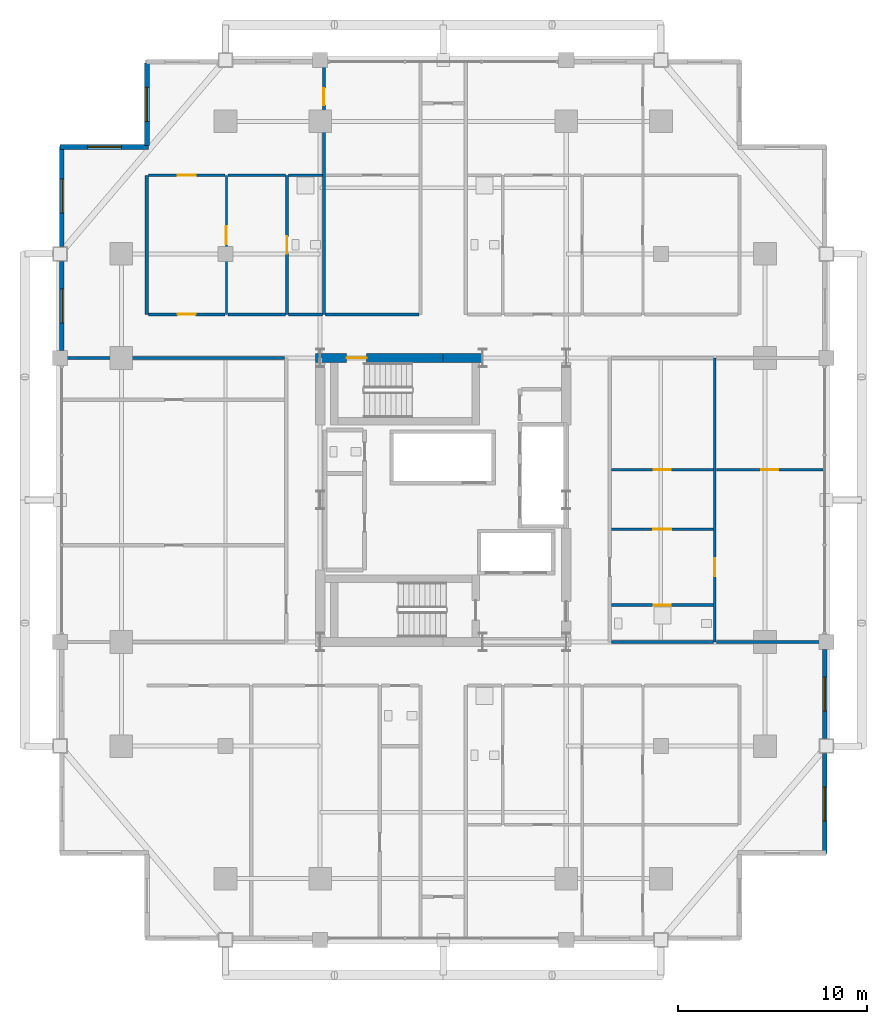
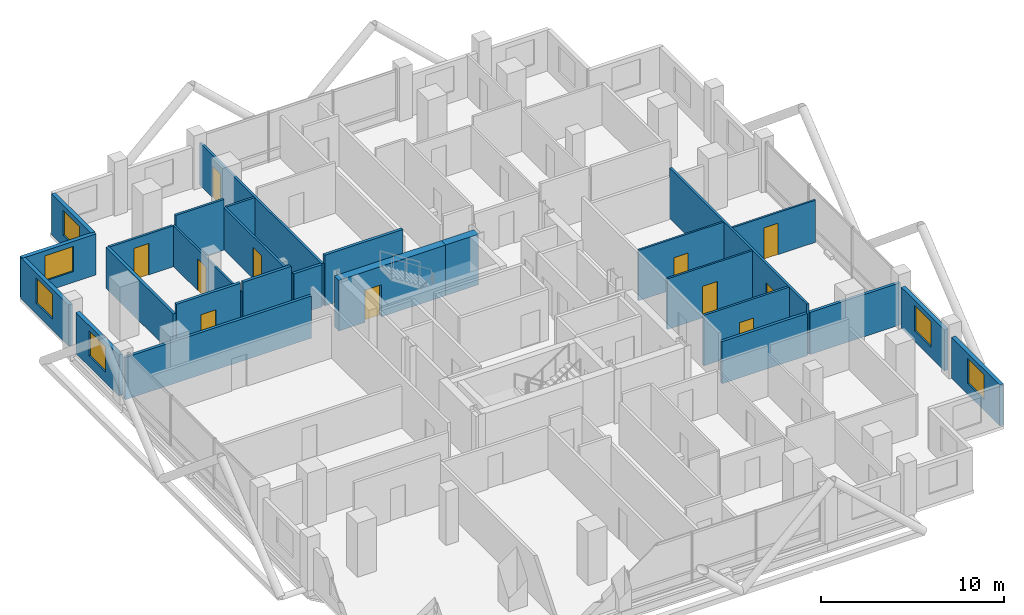
# One storey, part 21 of 25: 27 walls, 11 doors, 6 windows, 17 openings.
"""IFC4 building model written with IfcOpenShell, lengths in metres."""

from ifc_helpers import new_model, si_unit, direction, frame, frame_2d, origin, place, context, subcontext, project, spatial, rectangle, extrude, material, layer, layer_set, type_object, element, fill, save


model = new_model("IFC4")

# Units and contexts
model_context = context("Model", 3, precision=1e-05, world=origin(), true_north=direction((0.0, 1.0)))
body_context = subcontext(model_context, "Body", "Model", "MODEL_VIEW")
ifc_project = project(units=[si_unit("LENGTHUNIT", "METRE"), si_unit("AREAUNIT", "SQUARE_METRE"), si_unit("VOLUMEUNIT", "CUBIC_METRE"), si_unit("PLANEANGLEUNIT", "RADIAN"), si_unit("MASSUNIT", "GRAM", prefix="KILO")], contexts=[model_context])

# Site, building, storey
site_placement = place(None, origin())
site = spatial("IfcSite", under=ifc_project, at=site_placement, CompositionType="ELEMENT")
building_placement = place(site_placement, origin())
building = spatial("IfcBuilding", under=site, at=building_placement, Name="Barlavira Tower and Art Museum", CompositionType="ELEMENT")
storey_placement = place(building_placement, frame((0.0, 0.0, 144.0)))
storey = spatial("IfcBuildingStorey", under=building, at=storey_placement, Name="L36", CompositionType="ELEMENT", Elevation=144.0)

# Wall, opening, door
ifc_material_1 = material(Name="Gypsum acoustic stud partition", Category="gypsum")
ifc_layer_1 = layer(ifc_material_1, 0.1201171875, Name="Gypsum acoustic stud partition")
ifc_layer_set_1 = layer_set([ifc_layer_1], Name="Gypsum acoustic stud partition")
wall_type_1 = type_object("IfcWallType", Name="Apartment Internal Acoustic Partition 120", PredefinedType="PARTITIONING", material=ifc_layer_set_1)
wall_1_placement = place(storey_placement, frame((-11.449951171875, 9.800048828125, 0.0), z_axis=(0.0, 0.0, 1.0), x_axis=(0.0, 1.0, 0.0)))
wall_1 = element("IfcWall", 1, at=wall_1_placement, inside=storey, type_object=wall_type_1, Name="L36 Partition Wall 2", PredefinedType="PARTITIONING", context=body_context, shape_type="SweptSolid", body=[
    extrude(rectangle(XDim=7.349853515625, YDim=0.1201171875, at=frame_2d((3.6748046875, 0.0))), origin(), (0.0, 0.0, 1.0), 2.736083984375),
])
opening_1_placement = place(wall_1_placement, frame((3.71337890625, 0.0, 0.0)))
opening_1 = element("IfcOpeningElement", 2, at=opening_1_placement, cuts=wall_1, Name="Opening D-02", PredefinedType="OPENING", context=body_context, shape_type="SweptSolid", body=[
    extrude(rectangle(XDim=0.949951171875, YDim=2.10009765625, at=frame_2d((0.47509765625, 1.050048828125))), frame((0.0, 0.070068359375, 0.0), z_axis=(0.0, -1.0, 0.0), x_axis=(1.0, 0.0, 0.0)), (0.0, 0.0, 1.0), 0.14013671875),
])
ifc_material_2 = material(Name="Engineered coastal hardwood", Category="wood")
door_type_1 = type_object("IfcDoorType", Name="Living and Salon Glazed-Leaf Door 950x2100", OperationType="NOTDEFINED", PredefinedType="DOOR", material=ifc_material_2)
door_1_placement = place(opening_1_placement, origin())
door_1 = element("IfcDoor", 3, at=door_1_placement, inside=storey, type_object=door_type_1, Name="Apartment NW1 Kitchen Door", OperationType="SINGLE_SWING_RIGHT", OverallHeight=2.10009765625, OverallWidth=0.949951171875, PredefinedType="DOOR", context=body_context, shape_type="SweptSolid", body=[
    extrude(rectangle(XDim=0.949951171875, YDim=2.10009765625, at=frame_2d((0.47509765625, 1.050048828125))), frame((0.0, 0.02490234375, 0.0), z_axis=(0.0, -1.0, 0.0), x_axis=(1.0, 0.0, 0.0)), (0.0, 0.0, 1.0), 0.050048828125),
])
fill(opening_1, door_1)

wall_2_placement = place(storey_placement, frame((8.8798828125, -1.550048828125, 0.0), z_axis=(0.0, 0.0, 1.0), x_axis=(1.0, 0.0, 0.0)))
wall_2 = element("IfcWall", 4, at=wall_2_placement, inside=storey, type_object=wall_type_1, Name="L36 Partition Wall 44", PredefinedType="PARTITIONING", context=body_context, shape_type="SweptSolid", body=[
    extrude(rectangle(XDim=5.39013671875, YDim=0.1201171875, at=frame_2d((2.695068359375, 0.0))), origin(), (0.0, 0.0, 1.0), 3.3798828125),
])
opening_2_placement = place(wall_2_placement, frame((2.215087890625, 0.0, 0.0)))
opening_2 = element("IfcOpeningElement", 5, at=opening_2_placement, cuts=wall_2, Name="Opening D-02", PredefinedType="OPENING", context=body_context, shape_type="SweptSolid", body=[
    extrude(rectangle(XDim=0.949951171875, YDim=2.10009765625, at=frame_2d((0.47509765625, 1.050048828125))), frame((0.0, 0.070068359375, 0.0), z_axis=(0.0, -1.0, 0.0), x_axis=(1.0, 0.0, 0.0)), (0.0, 0.0, 1.0), 0.14013671875),
])
door_2_placement = place(opening_2_placement, origin())
door_2 = element("IfcDoor", 6, at=door_2_placement, inside=storey, type_object=door_type_1, Name="Apartment E1 Kitchen Door", OperationType="SINGLE_SWING_RIGHT", OverallHeight=2.10009765625, OverallWidth=0.949951171875, PredefinedType="DOOR", context=body_context, shape_type="SweptSolid", body=[
    extrude(rectangle(XDim=0.949951171875, YDim=2.10009765625, at=frame_2d((0.47509765625, 1.050048828125))), frame((0.0, 0.02490234375, 0.0), z_axis=(0.0, -1.0, 0.0), x_axis=(1.0, 0.0, 0.0)), (0.0, 0.0, 1.0), 0.050048828125),
])
fill(opening_2, door_2)

wall_3_placement = place(storey_placement, frame((8.8798828125, 1.60009765625, 0.0), z_axis=(0.0, 0.0, 1.0), x_axis=(1.0, 0.0, 0.0)))
wall_3 = element("IfcWall", 7, at=wall_3_placement, inside=storey, type_object=wall_type_1, Name="L36 Partition Wall 46", PredefinedType="PARTITIONING", context=body_context, shape_type="SweptSolid", body=[
    extrude(rectangle(XDim=5.39013671875, YDim=0.1201171875, at=frame_2d((2.695068359375, 0.0))), origin(), (0.0, 0.0, 1.0), 3.3798828125),
])
opening_3_placement = place(wall_3_placement, frame((2.239990234375, 0.0, 0.0)))
opening_3 = element("IfcOpeningElement", 8, at=opening_3_placement, cuts=wall_3, Name="Opening D-01", PredefinedType="OPENING", context=body_context, shape_type="SweptSolid", body=[
    extrude(rectangle(XDim=0.89990234375, YDim=2.10009765625, at=frame_2d((0.449951171875, 1.050048828125))), frame((0.0, 0.070068359375, 0.0), z_axis=(0.0, -1.0, 0.0), x_axis=(1.0, 0.0, 0.0)), (0.0, 0.0, 1.0), 0.14013671875),
])
door_type_2 = type_object("IfcDoorType", Name="Internal Bedroom Timber Flush Door 900x2100", OperationType="NOTDEFINED", PredefinedType="DOOR", material=ifc_material_2)
door_3_placement = place(opening_3_placement, origin())
door_3 = element("IfcDoor", 9, at=door_3_placement, inside=storey, type_object=door_type_2, Name="Apartment E1 Walk-In Dressing Room Door", OperationType="SINGLE_SWING_LEFT", OverallHeight=2.10009765625, OverallWidth=0.89990234375, PredefinedType="DOOR", context=body_context, shape_type="SweptSolid", body=[
    extrude(rectangle(XDim=0.89990234375, YDim=2.10009765625, at=frame_2d((0.449951171875, 1.050048828125))), frame((0.0, 0.02490234375, 0.0), z_axis=(0.0, -1.0, 0.0), x_axis=(1.0, 0.0, 0.0)), (0.0, 0.0, 1.0), 0.050048828125),
])
fill(opening_3, door_3)

wall_4_placement = place(storey_placement, frame((14.429931640625, 1.60009765625, 0.0), z_axis=(0.0, 0.0, 1.0), x_axis=(1.0, 0.0, 0.0)))
wall_4 = element("IfcWall", 10, at=wall_4_placement, inside=storey, type_object=wall_type_1, Name="L36 Partition Wall 47", PredefinedType="PARTITIONING", context=body_context, shape_type="SweptSolid", body=[
    extrude(rectangle(XDim=5.64013671875, YDim=0.1201171875, at=frame_2d((2.820068359375, 0.0))), origin(), (0.0, 0.0, 1.0), 2.81591796875),
])
opening_4_placement = place(wall_4_placement, frame((2.3701171875, 0.0, 0.0)))
opening_4 = element("IfcOpeningElement", 11, at=opening_4_placement, cuts=wall_4, Name="Opening D-01", PredefinedType="OPENING", context=body_context, shape_type="SweptSolid", body=[
    extrude(rectangle(XDim=0.89990234375, YDim=2.10009765625, at=frame_2d((0.449951171875, 1.050048828125))), frame((0.0, 0.070068359375, 0.0), z_axis=(0.0, -1.0, 0.0), x_axis=(1.0, 0.0, 0.0)), (0.0, 0.0, 1.0), 0.14013671875),
])
door_4_placement = place(opening_4_placement, origin())
door_4 = element("IfcDoor", 12, at=door_4_placement, inside=storey, type_object=door_type_2, Name="Apartment E1 Bedroom 1 Door", OperationType="SINGLE_SWING_LEFT", OverallHeight=2.10009765625, OverallWidth=0.89990234375, PredefinedType="DOOR", context=body_context, shape_type="SweptSolid", body=[
    extrude(rectangle(XDim=0.89990234375, YDim=2.10009765625, at=frame_2d((0.449951171875, 1.050048828125))), frame((0.0, 0.02490234375, 0.0), z_axis=(0.0, -1.0, 0.0), x_axis=(1.0, 0.0, 0.0)), (0.0, 0.0, 1.0), 0.050048828125),
])
fill(opening_4, door_4)

ifc_material_3 = material(Name="Concrete C60", Category="concrete")
ifc_layer_2 = layer(ifc_material_3, 0.5, Name="Concrete C60")
ifc_layer_set_2 = layer_set([ifc_layer_2], Name="Concrete C60")
wall_type_2 = type_object("IfcWallType", Name="Core Structural Shear Wall 500 Concrete C60", PredefinedType="SHEAR", material=ifc_layer_set_2)
wall_5_placement = place(storey_placement, frame((-6.75, 7.5, 0.0), z_axis=(0.0, 0.0, 1.0), x_axis=(1.0, 0.0, 0.0)))
wall_5 = element("IfcWall", 13, at=wall_5_placement, inside=storey, type_object=wall_type_2, Name="L36 Core Shear Wall CS-NW", PredefinedType="SHEAR", context=body_context, shape_type="SweptSolid", body=[
    extrude(rectangle(XDim=6.75, YDim=0.5, at=frame_2d((3.375, 0.0))), origin(), (0.0, 0.0, 1.0), 3.3798828125),
])
opening_5_placement = place(wall_5_placement, frame((1.64990234375, 0.0, 0.0)))
opening_5 = element("IfcOpeningElement", 14, at=opening_5_placement, cuts=wall_5, Name="Opening FD-90", PredefinedType="OPENING", context=body_context, shape_type="SweptSolid", body=[
    extrude(rectangle(XDim=1.050048828125, YDim=2.14990234375, at=frame_2d((0.52490234375, 1.074951171875))), frame((0.0, 0.260009765625, 0.0), z_axis=(0.0, -1.0, 0.0), x_axis=(1.0, 0.0, 0.0)), (0.0, 0.0, 1.0), 0.52001953125),
])
ifc_material_4 = material(Name="Brushed stainless steel", Category="steel")
door_type_3 = type_object("IfcDoorType", Name="Stair and Refuge Fire Door 1050x2150 FD90S", OperationType="NOTDEFINED", PredefinedType="DOOR", material=ifc_material_4)
door_5_placement = place(opening_5_placement, origin())
door_5 = element("IfcDoor", 15, at=door_5_placement, inside=storey, type_object=door_type_3, Name="L36 Stair ST-T2 Fire Door", OperationType="SINGLE_SWING_LEFT", OverallHeight=2.14990234375, OverallWidth=1.050048828125, PredefinedType="DOOR", context=body_context, shape_type="SweptSolid", body=[
    extrude(rectangle(XDim=1.050048828125, YDim=2.14990234375, at=frame_2d((0.52490234375, 1.074951171875))), frame((0.0, 0.02490234375, 0.0), z_axis=(0.0, -1.0, 0.0), x_axis=(1.0, 0.0, 0.0)), (0.0, 0.0, 1.0), 0.050048828125),
])
fill(opening_5, door_5)

# Walls
wall_6_placement = place(storey_placement, frame((0.0, 7.5, 0.0), z_axis=(0.0, 0.0, 1.0), x_axis=(1.0, 0.0, 0.0)))
element("IfcWall", 16, at=wall_6_placement, inside=storey, type_object=wall_type_2, Name="L36 Core Shear Wall CS-EN", PredefinedType="SHEAR", context=body_context, shape_type="SweptSolid", body=[
    extrude(rectangle(XDim=2.080078125, YDim=0.5, at=frame_2d((1.0400390625, 0.0))), origin(), (0.0, 0.0, 1.0), 3.3798828125),
])
ifc_layer_3 = layer(ifc_material_1, 0.179931640625, Name="Gypsum acoustic stud partition")
ifc_layer_set_3 = layer_set([ifc_layer_3], Name="Gypsum acoustic stud partition")
wall_type_3 = type_object("IfcWallType", Name="Inter-Tenancy Party Partition Wall 180", PredefinedType="PARTITIONING", material=ifc_layer_set_3)
wall_7_placement = place(storey_placement, frame((-15.64990234375, 9.800048828125, 0.0), z_axis=(0.0, 0.0, 1.0), x_axis=(0.0, 1.0, 0.0)))
element("IfcWall", 17, at=wall_7_placement, inside=storey, type_object=wall_type_3, Name="L36 Partition Wall 1", PredefinedType="PARTITIONING", context=body_context, shape_type="SweptSolid", body=[
    extrude(rectangle(XDim=7.349853515625, YDim=0.179931640625, at=frame_2d((3.6748046875, 0.0))), origin(), (0.0, 0.0, 1.0), 2.736083984375),
])
wall_8_placement = place(storey_placement, frame((8.8798828125, -7.5, 0.0), z_axis=(0.0, 0.0, 1.0), x_axis=(1.0, 0.0, 0.0)))
element("IfcWall", 18, at=wall_8_placement, inside=storey, type_object=wall_type_3, Name="L36 Partition Wall 39", PredefinedType="PARTITIONING", context=body_context, shape_type="SweptSolid", body=[
    extrude(rectangle(XDim=5.39013671875, YDim=0.179931640625, at=frame_2d((2.695068359375, 0.0))), origin(), (0.0, 0.0, 1.0), 2.81591796875),
])
wall_9_placement = place(storey_placement, frame((14.429931640625, -7.5, 0.0), z_axis=(0.0, 0.0, 1.0), x_axis=(1.0, 0.0, 0.0)))
element("IfcWall", 19, at=wall_9_placement, inside=storey, type_object=wall_type_3, Name="L36 Partition Wall 40", PredefinedType="PARTITIONING", context=body_context, shape_type="SweptSolid", body=[
    extrude(rectangle(XDim=5.719970703125, YDim=0.179931640625, at=frame_2d((2.85986328125, 0.0))), origin(), (0.0, 0.0, 1.0), 2.81591796875),
])
wall_10_placement = place(storey_placement, frame((-20.14990234375, 7.5, 0.0), z_axis=(0.0, 0.0, 1.0), x_axis=(1.0, 0.0, 0.0)))
element("IfcWall", 20, at=wall_10_placement, inside=storey, type_object=wall_type_3, Name="L36 Partition Wall 51", PredefinedType="PARTITIONING", context=body_context, shape_type="SweptSolid", body=[
    extrude(rectangle(XDim=11.77001953125, YDim=0.179931640625, at=frame_2d((5.885009765625, 0.0))), origin(), (0.0, 0.0, 1.0), 2.81591796875),
])

# Wall, opening, door
wall_11_placement = place(storey_placement, frame((-15.570068359375, 9.800048828125, 0.0), z_axis=(0.0, 0.0, 1.0), x_axis=(1.0, 0.0, 0.0)))
wall_11 = element("IfcWall", 21, at=wall_11_placement, inside=storey, type_object=wall_type_3, Name="L36 Partition Wall 54", PredefinedType="PARTITIONING", context=body_context, shape_type="SweptSolid", body=[
    extrude(rectangle(XDim=4.0400390625, YDim=0.179931640625, at=frame_2d((2.02001953125, 0.0))), origin(), (0.0, 0.0, 1.0), 3.3798828125),
])
opening_6_placement = place(wall_11_placement, frame((1.544921875, 0.0, 0.0)))
opening_6 = element("IfcOpeningElement", 22, at=opening_6_placement, cuts=wall_11, Name="Opening FD-60", PredefinedType="OPENING", context=body_context, shape_type="SweptSolid", body=[
    extrude(rectangle(XDim=0.949951171875, YDim=2.14990234375, at=frame_2d((0.47509765625, 1.074951171875))), frame((0.0, 0.10009765625, 0.0), z_axis=(0.0, -1.0, 0.0), x_axis=(1.0, 0.0, 0.0)), (0.0, 0.0, 1.0), 0.199951171875),
])
door_type_4 = type_object("IfcDoorType", Name="Apartment Entrance and Riser Fire Door 950x2150 FD60S", OperationType="NOTDEFINED", PredefinedType="DOOR", material=ifc_material_4)
door_6_placement = place(opening_6_placement, origin())
door_6 = element("IfcDoor", 23, at=door_6_placement, inside=storey, type_object=door_type_4, Name="Apartment Entrance Hall NW1 Door", OperationType="SINGLE_SWING_LEFT", OverallHeight=2.14990234375, OverallWidth=0.949951171875, PredefinedType="DOOR", context=body_context, shape_type="SweptSolid", body=[
    extrude(rectangle(XDim=0.949951171875, YDim=2.14990234375, at=frame_2d((0.47509765625, 1.074951171875))), frame((0.0, 0.02490234375, 0.0), z_axis=(0.0, -1.0, 0.0), x_axis=(1.0, 0.0, 0.0)), (0.0, 0.0, 1.0), 0.050048828125),
])
fill(opening_6, door_6)

# Walls
wall_12_placement = place(storey_placement, frame((-11.3701171875, 9.800048828125, 0.0), z_axis=(0.0, 0.0, 1.0), x_axis=(1.0, 0.0, 0.0)))
element("IfcWall", 24, at=wall_12_placement, inside=storey, type_object=wall_type_3, Name="L36 Partition Wall 55", PredefinedType="PARTITIONING", context=body_context, shape_type="SweptSolid", body=[
    extrude(rectangle(XDim=3.0400390625, YDim=0.179931640625, at=frame_2d((1.52001953125, 0.0))), origin(), (0.0, 0.0, 1.0), 3.3798828125),
])
wall_13_placement = place(storey_placement, frame((-8.169921875, 9.800048828125, 0.0), z_axis=(0.0, 0.0, 1.0), x_axis=(1.0, 0.0, 0.0)))
element("IfcWall", 25, at=wall_13_placement, inside=storey, type_object=wall_type_3, Name="L36 Partition Wall 56", PredefinedType="PARTITIONING", context=body_context, shape_type="SweptSolid", body=[
    extrude(rectangle(XDim=1.7900390625, YDim=0.179931640625, at=frame_2d((0.89501953125, 0.0))), origin(), (0.0, 0.0, 1.0), 2.81591796875),
])
wall_14_placement = place(storey_placement, frame((-6.219970703125, 9.800048828125, 0.0), z_axis=(0.0, 0.0, 1.0), x_axis=(1.0, 0.0, 0.0)))
element("IfcWall", 26, at=wall_14_placement, inside=storey, type_object=wall_type_3, Name="L36 Partition Wall 57", PredefinedType="PARTITIONING", context=body_context, shape_type="SweptSolid", body=[
    extrude(rectangle(XDim=4.93994140625, YDim=0.179931640625, at=frame_2d((2.469970703125, 0.0))), origin(), (0.0, 0.0, 1.0), 3.3798828125),
])

# Wall, opening, door
ifc_layer_4 = layer(ifc_material_1, 0.139892578125, Name="Gypsum acoustic stud partition")
ifc_layer_set_4 = layer_set([ifc_layer_4], Name="Gypsum acoustic stud partition")
wall_type_4 = type_object("IfcWallType", Name="Moisture-Resistant Bathroom Partition 140", PredefinedType="PARTITIONING", material=ifc_layer_set_4)
wall_15_placement = place(storey_placement, frame((-8.25, 9.800048828125, 0.0), z_axis=(0.0, 0.0, 1.0), x_axis=(0.0, 1.0, 0.0)))
wall_15 = element("IfcWall", 27, at=wall_15_placement, inside=storey, type_object=wall_type_4, Name="L36 Partition Wall 5", PredefinedType="PARTITIONING", context=body_context, shape_type="SweptSolid", body=[
    extrude(rectangle(XDim=7.349853515625, YDim=0.139892578125, at=frame_2d((3.6748046875, 0.0))), origin(), (0.0, 0.0, 1.0), 2.81591796875),
])
opening_7_placement = place(wall_15_placement, frame((3.219970703125, 0.0, 0.0)))
opening_7 = element("IfcOpeningElement", 28, at=opening_7_placement, cuts=wall_15, Name="Opening D-WC", PredefinedType="OPENING", context=body_context, shape_type="SweptSolid", body=[
    extrude(rectangle(XDim=0.89990234375, YDim=2.10009765625, at=frame_2d((0.449951171875, 1.050048828125))), frame((0.0, 0.080078125, 0.0), z_axis=(0.0, -1.0, 0.0), x_axis=(1.0, 0.0, 0.0)), (0.0, 0.0, 1.0), 0.159912109375),
])
door_type_5 = type_object("IfcDoorType", Name="Accessible Bathroom Flush Door 900x2100", OperationType="NOTDEFINED", PredefinedType="DOOR", material=ifc_material_2)
door_7_placement = place(opening_7_placement, origin())
door_7 = element("IfcDoor", 29, at=door_7_placement, inside=storey, type_object=door_type_5, Name="Apartment NW1 Hall Bathroom Door", OperationType="SINGLE_SWING_LEFT", OverallHeight=2.10009765625, OverallWidth=0.89990234375, PredefinedType="DOOR", context=body_context, shape_type="SweptSolid", body=[
    extrude(rectangle(XDim=0.89990234375, YDim=2.10009765625, at=frame_2d((0.449951171875, 1.050048828125))), frame((0.0, 0.02490234375, 0.0), z_axis=(0.0, -1.0, 0.0), x_axis=(1.0, 0.0, 0.0)), (0.0, 0.0, 1.0), 0.050048828125),
])
fill(opening_7, door_7)

wall_16_placement = place(storey_placement, frame((-6.300048828125, 9.800048828125, 0.0), z_axis=(0.0, 0.0, 1.0), x_axis=(0.0, 1.0, 0.0)))
wall_16 = element("IfcWall", 30, at=wall_16_placement, inside=storey, type_object=wall_type_4, Name="L36 Partition Wall 6", PredefinedType="PARTITIONING", context=body_context, shape_type="SweptSolid", body=[
    extrude(rectangle(XDim=13.349853515625, YDim=0.139892578125, at=frame_2d((6.6748046875, 0.0))), origin(), (0.0, 0.0, 1.0), 2.81591796875),
])
opening_8_placement = place(wall_16_placement, frame((11.051025390625, 0.0, 0.0)))
opening_8 = element("IfcOpeningElement", 31, at=opening_8_placement, cuts=wall_16, Name="Opening D-01", PredefinedType="OPENING", context=body_context, shape_type="SweptSolid", body=[
    extrude(rectangle(XDim=0.89990234375, YDim=2.10009765625, at=frame_2d((0.449951171875, 1.050048828125))), frame((0.0, 0.080078125, 0.0), z_axis=(0.0, -1.0, 0.0), x_axis=(1.0, 0.0, 0.0)), (0.0, 0.0, 1.0), 0.159912109375),
])
door_8_placement = place(opening_8_placement, origin())
door_8 = element("IfcDoor", 32, at=door_8_placement, inside=storey, type_object=door_type_2, Name="Apartment NW1 Bedroom 1 Door", OperationType="SINGLE_SWING_RIGHT", OverallHeight=2.10009765625, OverallWidth=0.89990234375, PredefinedType="DOOR", context=body_context, shape_type="SweptSolid", body=[
    extrude(rectangle(XDim=0.89990234375, YDim=2.10009765625, at=frame_2d((0.449951171875, 1.050048828125))), frame((0.0, 0.02490234375, 0.0), z_axis=(0.0, -1.0, 0.0), x_axis=(1.0, 0.0, 0.0)), (0.0, 0.0, 1.0), 0.050048828125),
])
fill(opening_8, door_8)

wall_17_placement = place(storey_placement, frame((14.35009765625, -7.5, 0.0), z_axis=(0.0, 0.0, 1.0), x_axis=(0.0, 1.0, 0.0)))
wall_17 = element("IfcWall", 33, at=wall_17_placement, inside=storey, type_object=wall_type_4, Name="L36 Partition Wall 22", PredefinedType="PARTITIONING", context=body_context, shape_type="SweptSolid", body=[
    extrude(rectangle(XDim=15.0, YDim=0.139892578125, at=frame_2d((7.5, 0.0))), origin(), (0.0, 0.0, 1.0), 3.3798828125),
])
opening_9_placement = place(wall_17_placement, frame((3.47509765625, 0.0, 0.0)))
opening_9 = element("IfcOpeningElement", 34, at=opening_9_placement, cuts=wall_17, Name="Opening D-02", PredefinedType="OPENING", context=body_context, shape_type="SweptSolid", body=[
    extrude(rectangle(XDim=0.949951171875, YDim=2.10009765625, at=frame_2d((0.47509765625, 1.050048828125))), frame((0.0, 0.080078125, 0.0), z_axis=(0.0, -1.0, 0.0), x_axis=(1.0, 0.0, 0.0)), (0.0, 0.0, 1.0), 0.159912109375),
])
door_9_placement = place(opening_9_placement, origin())
door_9 = element("IfcDoor", 35, at=door_9_placement, inside=storey, type_object=door_type_1, Name="Apartment E1 Living Lounge Door", OperationType="SINGLE_SWING_RIGHT", OverallHeight=2.10009765625, OverallWidth=0.949951171875, PredefinedType="DOOR", context=body_context, shape_type="SweptSolid", body=[
    extrude(rectangle(XDim=0.949951171875, YDim=2.10009765625, at=frame_2d((0.47509765625, 1.050048828125))), frame((0.0, 0.02490234375, 0.0), z_axis=(0.0, -1.0, 0.0), x_axis=(1.0, 0.0, 0.0)), (0.0, 0.0, 1.0), 0.050048828125),
])
fill(opening_9, door_9)

wall_18_placement = place(storey_placement, frame((8.8798828125, -5.550048828125, 0.0), z_axis=(0.0, 0.0, 1.0), x_axis=(1.0, 0.0, 0.0)))
wall_18 = element("IfcWall", 36, at=wall_18_placement, inside=storey, type_object=wall_type_4, Name="L36 Partition Wall 41", PredefinedType="PARTITIONING", context=body_context, shape_type="SweptSolid", body=[
    extrude(rectangle(XDim=5.39013671875, YDim=0.139892578125, at=frame_2d((2.695068359375, 0.0))), origin(), (0.0, 0.0, 1.0), 3.3798828125),
])
opening_10_placement = place(wall_18_placement, frame((2.239990234375, 0.0, 0.0)))
opening_10 = element("IfcOpeningElement", 37, at=opening_10_placement, cuts=wall_18, Name="Opening D-WC", PredefinedType="OPENING", context=body_context, shape_type="SweptSolid", body=[
    extrude(rectangle(XDim=0.89990234375, YDim=2.10009765625, at=frame_2d((0.449951171875, 1.050048828125))), frame((0.0, 0.080078125, 0.0), z_axis=(0.0, -1.0, 0.0), x_axis=(1.0, 0.0, 0.0)), (0.0, 0.0, 1.0), 0.159912109375),
])
door_10_placement = place(opening_10_placement, origin())
door_10 = element("IfcDoor", 38, at=door_10_placement, inside=storey, type_object=door_type_5, Name="Apartment E1 Hall Bathroom Door", OperationType="SINGLE_SWING_RIGHT", OverallHeight=2.10009765625, OverallWidth=0.89990234375, PredefinedType="DOOR", context=body_context, shape_type="SweptSolid", body=[
    extrude(rectangle(XDim=0.89990234375, YDim=2.10009765625, at=frame_2d((0.449951171875, 1.050048828125))), frame((0.0, 0.02490234375, 0.0), z_axis=(0.0, -1.0, 0.0), x_axis=(1.0, 0.0, 0.0)), (0.0, 0.0, 1.0), 0.050048828125),
])
fill(opening_10, door_10)

wall_19_placement = place(storey_placement, frame((-15.570068359375, 17.14990234375, 0.0), z_axis=(0.0, 0.0, 1.0), x_axis=(1.0, 0.0, 0.0)))
wall_19 = element("IfcWall", 39, at=wall_19_placement, inside=storey, type_object=wall_type_4, Name="L36 Partition Wall 62", PredefinedType="PARTITIONING", context=body_context, shape_type="SweptSolid", body=[
    extrude(rectangle(XDim=4.0400390625, YDim=0.139892578125, at=frame_2d((2.02001953125, 0.0))), origin(), (0.0, 0.0, 1.0), 2.736083984375),
])
opening_11_placement = place(wall_19_placement, frame((1.544921875, 0.0, 0.0)))
opening_11 = element("IfcOpeningElement", 40, at=opening_11_placement, cuts=wall_19, Name="Opening D-02", PredefinedType="OPENING", context=body_context, shape_type="SweptSolid", body=[
    extrude(rectangle(XDim=0.949951171875, YDim=2.10009765625, at=frame_2d((0.47509765625, 1.050048828125))), frame((0.0, 0.080078125, 0.0), z_axis=(0.0, -1.0, 0.0), x_axis=(1.0, 0.0, 0.0)), (0.0, 0.0, 1.0), 0.159912109375),
])
door_11_placement = place(opening_11_placement, origin())
door_11 = element("IfcDoor", 41, at=door_11_placement, inside=storey, type_object=door_type_1, Name="Apartment NW1 Living Lounge Door", OperationType="SINGLE_SWING_LEFT", OverallHeight=2.10009765625, OverallWidth=0.949951171875, PredefinedType="DOOR", context=body_context, shape_type="SweptSolid", body=[
    extrude(rectangle(XDim=0.949951171875, YDim=2.10009765625, at=frame_2d((0.47509765625, 1.050048828125))), frame((0.0, 0.02490234375, 0.0), z_axis=(0.0, -1.0, 0.0), x_axis=(1.0, 0.0, 0.0)), (0.0, 0.0, 1.0), 0.050048828125),
])
fill(opening_11, door_11)

# Walls
wall_20_placement = place(storey_placement, frame((-11.3701171875, 17.14990234375, 0.0), z_axis=(0.0, 0.0, 1.0), x_axis=(1.0, 0.0, 0.0)))
element("IfcWall", 42, at=wall_20_placement, inside=storey, type_object=wall_type_4, Name="L36 Partition Wall 63", PredefinedType="PARTITIONING", context=body_context, shape_type="SweptSolid", body=[
    extrude(rectangle(XDim=3.0400390625, YDim=0.139892578125, at=frame_2d((1.52001953125, 0.0))), origin(), (0.0, 0.0, 1.0), 3.3798828125),
])
wall_21_placement = place(storey_placement, frame((-8.169921875, 17.14990234375, 0.0), z_axis=(0.0, 0.0, 1.0), x_axis=(1.0, 0.0, 0.0)))
element("IfcWall", 43, at=wall_21_placement, inside=storey, type_object=wall_type_4, Name="L36 Partition Wall 64", PredefinedType="PARTITIONING", context=body_context, shape_type="SweptSolid", body=[
    extrude(rectangle(XDim=1.7900390625, YDim=0.139892578125, at=frame_2d((0.89501953125, 0.0))), origin(), (0.0, 0.0, 1.0), 2.81591796875),
])

# Wall, opening, window
ifc_material_5 = material(Name="Precast concrete C40", Category="concrete")
ifc_layer_5 = layer(ifc_material_5, 0.25, Name="Precast concrete C40")
ifc_layer_set_5 = layer_set([ifc_layer_5], Name="Precast concrete C40")
wall_type_5 = type_object("IfcWallType", Name="Notched Corner Spandrel Wall 250 Precast Concrete C40", PredefinedType="SOLIDWALL", material=ifc_layer_set_5)
wall_22_placement = place(storey_placement, frame((-20.14990234375, 18.675048828125, 0.0), z_axis=(0.0, 0.0, 1.0), x_axis=(0.0, -1.0, 0.0)))
wall_22 = element("IfcWall", 44, at=wall_22_placement, inside=storey, type_object=wall_type_5, Name="L36 Coastal Facade Pier Wall CW2-L36-W-1", PredefinedType="SOLIDWALL", context=body_context, shape_type="SweptSolid", body=[
    extrude(rectangle(XDim=5.280029296875, YDim=0.25, at=frame_2d((2.64013671875, 0.0))), origin(), (0.0, 0.0, 1.0), 2.736083984375),
])
opening_12_placement = place(wall_22_placement, frame((1.718017578125, 0.0, 0.719970703125)))
opening_12 = element("IfcOpeningElement", 45, at=opening_12_placement, cuts=wall_22, Name="Opening WN-01", PredefinedType="OPENING", context=body_context, shape_type="SweptSolid", body=[
    extrude(rectangle(XDim=1.800048828125, YDim=1.679931640625, at=frame_2d((0.89990234375, 0.83984375))), frame((0.0, 0.135009765625, 0.0), z_axis=(0.0, -1.0, 0.0), x_axis=(1.0, 0.0, 0.0)), (0.0, 0.0, 1.0), 0.27001953125),
])
ifc_material_6 = material(Name="Low-iron coastal laminated glass", Category="glass")
window_type = type_object("IfcWindowType", Name="Recessed Notch Corner Punch Window 1800x1680", PartitioningType="SINGLE_PANEL", PredefinedType="WINDOW", material=ifc_material_6)
window_1_placement = place(opening_12_placement, origin())
window_1 = element("IfcWindow", 46, at=window_1_placement, inside=storey, type_object=window_type, Name="L36 Punched Facade Window EWP-CW2-L36-W-1-1", OverallHeight=1.679931640625, OverallWidth=1.800048828125, PartitioningType="SINGLE_PANEL", PredefinedType="WINDOW", context=body_context, shape_type="SweptSolid", body=[
    extrude(rectangle(XDim=1.800048828125, YDim=1.679931640625, at=frame_2d((0.89990234375, 0.83984375))), frame((0.0, 0.030029296875, 0.0), z_axis=(0.0, -1.0, 0.0), x_axis=(1.0, 0.0, 0.0)), (0.0, 0.0, 1.0), 0.06005859375),
])
fill(opening_12, window_1)

wall_23_placement = place(storey_placement, frame((-20.14990234375, 12.60498046875, 0.0), z_axis=(0.0, 0.0, 1.0), x_axis=(0.0, -1.0, 0.0)))
wall_23 = element("IfcWall", 47, at=wall_23_placement, inside=storey, type_object=wall_type_5, Name="L36 Coastal Facade Pier Wall CW2-L36-W-2", PredefinedType="SOLIDWALL", context=body_context, shape_type="SweptSolid", body=[
    extrude(rectangle(XDim=4.7099609375, YDim=0.25, at=frame_2d((2.35498046875, 0.0))), origin(), (0.0, 0.0, 1.0), 2.736083984375),
])
opening_13_placement = place(wall_23_placement, frame((1.455078125, 0.0, 0.719970703125)))
opening_13 = element("IfcOpeningElement", 48, at=opening_13_placement, cuts=wall_23, Name="Opening WN-01", PredefinedType="OPENING", context=body_context, shape_type="SweptSolid", body=[
    extrude(rectangle(XDim=1.800048828125, YDim=1.679931640625, at=frame_2d((0.89990234375, 0.83984375))), frame((0.0, 0.135009765625, 0.0), z_axis=(0.0, -1.0, 0.0), x_axis=(1.0, 0.0, 0.0)), (0.0, 0.0, 1.0), 0.27001953125),
])
window_2_placement = place(opening_13_placement, origin())
window_2 = element("IfcWindow", 49, at=window_2_placement, inside=storey, type_object=window_type, Name="L36 Punched Facade Window EWP-CW2-L36-W-2-1", OverallHeight=1.679931640625, OverallWidth=1.800048828125, PartitioningType="SINGLE_PANEL", PredefinedType="WINDOW", context=body_context, shape_type="SweptSolid", body=[
    extrude(rectangle(XDim=1.800048828125, YDim=1.679931640625, at=frame_2d((0.89990234375, 0.83984375))), frame((0.0, 0.030029296875, 0.0), z_axis=(0.0, -1.0, 0.0), x_axis=(1.0, 0.0, 0.0)), (0.0, 0.0, 1.0), 0.06005859375),
])
fill(opening_13, window_2)

wall_24_placement = place(storey_placement, frame((20.14990234375, -18.675048828125, 0.0), z_axis=(0.0, 0.0, 1.0), x_axis=(0.0, 1.0, 0.0)))
wall_24 = element("IfcWall", 50, at=wall_24_placement, inside=storey, type_object=wall_type_5, Name="L36 Coastal Facade Pier Wall CW2-L36-E-1", PredefinedType="SOLIDWALL", context=body_context, shape_type="SweptSolid", body=[
    extrude(rectangle(XDim=5.280029296875, YDim=0.25, at=frame_2d((2.64013671875, 0.0))), origin(), (0.0, 0.0, 1.0), 2.736083984375),
])
opening_14_placement = place(wall_24_placement, frame((1.718017578125, 0.0, 0.719970703125)))
opening_14 = element("IfcOpeningElement", 51, at=opening_14_placement, cuts=wall_24, Name="Opening WN-01", PredefinedType="OPENING", context=body_context, shape_type="SweptSolid", body=[
    extrude(rectangle(XDim=1.800048828125, YDim=1.679931640625, at=frame_2d((0.89990234375, 0.83984375))), frame((0.0, 0.135009765625, 0.0), z_axis=(0.0, -1.0, 0.0), x_axis=(1.0, 0.0, 0.0)), (0.0, 0.0, 1.0), 0.27001953125),
])
window_3_placement = place(opening_14_placement, origin())
window_3 = element("IfcWindow", 52, at=window_3_placement, inside=storey, type_object=window_type, Name="L36 Punched Facade Window EWP-CW2-L36-E-1-1", OverallHeight=1.679931640625, OverallWidth=1.800048828125, PartitioningType="SINGLE_PANEL", PredefinedType="WINDOW", context=body_context, shape_type="SweptSolid", body=[
    extrude(rectangle(XDim=1.800048828125, YDim=1.679931640625, at=frame_2d((0.89990234375, 0.83984375))), frame((0.0, 0.030029296875, 0.0), z_axis=(0.0, -1.0, 0.0), x_axis=(1.0, 0.0, 0.0)), (0.0, 0.0, 1.0), 0.06005859375),
])
fill(opening_14, window_3)

wall_25_placement = place(storey_placement, frame((20.14990234375, -12.60498046875, 0.0), z_axis=(0.0, 0.0, 1.0), x_axis=(0.0, 1.0, 0.0)))
wall_25 = element("IfcWall", 53, at=wall_25_placement, inside=storey, type_object=wall_type_5, Name="L36 Coastal Facade Pier Wall CW2-L36-E-2", PredefinedType="SOLIDWALL", context=body_context, shape_type="SweptSolid", body=[
    extrude(rectangle(XDim=4.7099609375, YDim=0.25, at=frame_2d((2.35498046875, 0.0))), origin(), (0.0, 0.0, 1.0), 2.736083984375),
])
opening_15_placement = place(wall_25_placement, frame((1.455078125, 0.0, 0.719970703125)))
opening_15 = element("IfcOpeningElement", 54, at=opening_15_placement, cuts=wall_25, Name="Opening WN-01", PredefinedType="OPENING", context=body_context, shape_type="SweptSolid", body=[
    extrude(rectangle(XDim=1.800048828125, YDim=1.679931640625, at=frame_2d((0.89990234375, 0.83984375))), frame((0.0, 0.135009765625, 0.0), z_axis=(0.0, -1.0, 0.0), x_axis=(1.0, 0.0, 0.0)), (0.0, 0.0, 1.0), 0.27001953125),
])
window_4_placement = place(opening_15_placement, origin())
window_4 = element("IfcWindow", 55, at=window_4_placement, inside=storey, type_object=window_type, Name="L36 Punched Facade Window EWP-CW2-L36-E-2-1", OverallHeight=1.679931640625, OverallWidth=1.800048828125, PartitioningType="SINGLE_PANEL", PredefinedType="WINDOW", context=body_context, shape_type="SweptSolid", body=[
    extrude(rectangle(XDim=1.800048828125, YDim=1.679931640625, at=frame_2d((0.89990234375, 0.83984375))), frame((0.0, 0.030029296875, 0.0), z_axis=(0.0, -1.0, 0.0), x_axis=(1.0, 0.0, 0.0)), (0.0, 0.0, 1.0), 0.06005859375),
])
fill(opening_15, window_4)

wall_26_placement = place(storey_placement, frame((-15.64990234375, 23.070068359375, 0.0), z_axis=(0.0, 0.0, 1.0), x_axis=(0.0, -1.0, 0.0)))
wall_26 = element("IfcWall", 56, at=wall_26_placement, inside=storey, type_object=wall_type_5, Name="L36 Notch Corner Wall NW1", PredefinedType="SOLIDWALL", context=body_context, shape_type="SweptSolid", body=[
    extrude(rectangle(XDim=4.340087890625, YDim=0.25, at=frame_2d((2.169921875, 0.0))), origin(), (0.0, 0.0, 1.0), 2.736083984375),
])
opening_16_placement = place(wall_26_placement, frame((1.27001953125, 0.0, 0.719970703125)))
opening_16 = element("IfcOpeningElement", 57, at=opening_16_placement, cuts=wall_26, Name="Opening WN-01", PredefinedType="OPENING", context=body_context, shape_type="SweptSolid", body=[
    extrude(rectangle(XDim=1.800048828125, YDim=1.679931640625, at=frame_2d((0.89990234375, 0.83984375))), frame((0.0, 0.135009765625, 0.0), z_axis=(0.0, -1.0, 0.0), x_axis=(1.0, 0.0, 0.0)), (0.0, 0.0, 1.0), 0.27001953125),
])
window_5_placement = place(opening_16_placement, origin())
window_5 = element("IfcWindow", 58, at=window_5_placement, inside=storey, type_object=window_type, Name="L36 Punched Facade Window EW-NTC-L36-NW1-1", OverallHeight=1.679931640625, OverallWidth=1.800048828125, PartitioningType="SINGLE_PANEL", PredefinedType="WINDOW", context=body_context, shape_type="SweptSolid", body=[
    extrude(rectangle(XDim=1.800048828125, YDim=1.679931640625, at=frame_2d((0.89990234375, 0.83984375))), frame((0.0, 0.030029296875, 0.0), z_axis=(0.0, -1.0, 0.0), x_axis=(1.0, 0.0, 0.0)), (0.0, 0.0, 1.0), 0.06005859375),
])
fill(opening_16, window_5)

wall_27_placement = place(storey_placement, frame((-15.570068359375, 18.64990234375, 0.0), z_axis=(0.0, 0.0, 1.0), x_axis=(-1.0, 0.0, 0.0)))
wall_27 = element("IfcWall", 59, at=wall_27_placement, inside=storey, type_object=wall_type_5, Name="L36 Notch Corner Wall NW2", PredefinedType="SOLIDWALL", context=body_context, shape_type="SweptSolid", body=[
    extrude(rectangle(XDim=4.659912109375, YDim=0.25, at=frame_2d((2.330078125, 0.0))), origin(), (0.0, 0.0, 1.0), 2.736083984375),
])
opening_17_placement = place(wall_27_placement, frame((1.429931640625, 0.0, 0.719970703125)))
opening_17 = element("IfcOpeningElement", 60, at=opening_17_placement, cuts=wall_27, Name="Opening WN-01", PredefinedType="OPENING", context=body_context, shape_type="SweptSolid", body=[
    extrude(rectangle(XDim=1.800048828125, YDim=1.679931640625, at=frame_2d((0.89990234375, 0.83984375))), frame((0.0, 0.135009765625, 0.0), z_axis=(0.0, -1.0, 0.0), x_axis=(1.0, 0.0, 0.0)), (0.0, 0.0, 1.0), 0.27001953125),
])
window_6_placement = place(opening_17_placement, origin())
window_6 = element("IfcWindow", 61, at=window_6_placement, inside=storey, type_object=window_type, Name="L36 Punched Facade Window EW-NTC-L36-NW2-1", OverallHeight=1.679931640625, OverallWidth=1.800048828125, PartitioningType="SINGLE_PANEL", PredefinedType="WINDOW", context=body_context, shape_type="SweptSolid", body=[
    extrude(rectangle(XDim=1.800048828125, YDim=1.679931640625, at=frame_2d((0.89990234375, 0.83984375))), frame((0.0, 0.030029296875, 0.0), z_axis=(0.0, -1.0, 0.0), x_axis=(1.0, 0.0, 0.0)), (0.0, 0.0, 1.0), 0.06005859375),
])
fill(opening_17, window_6)

save(model, "model.ifc")
